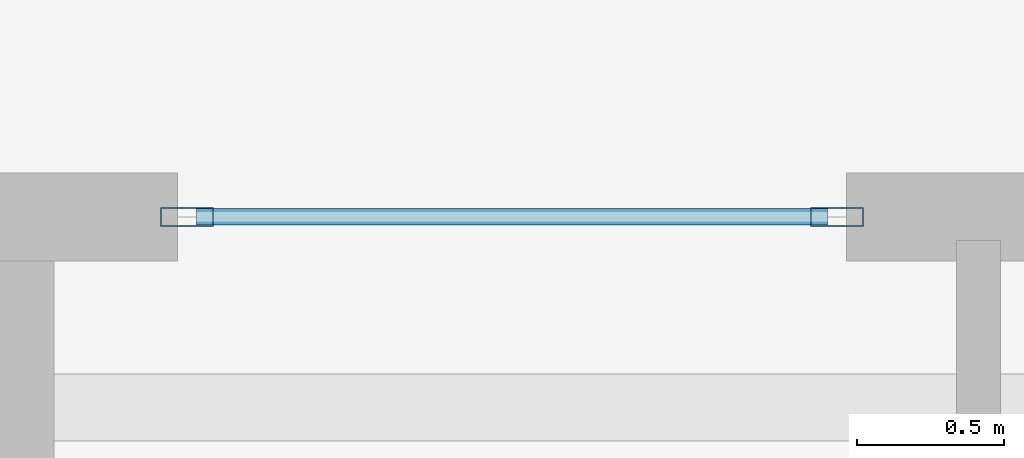
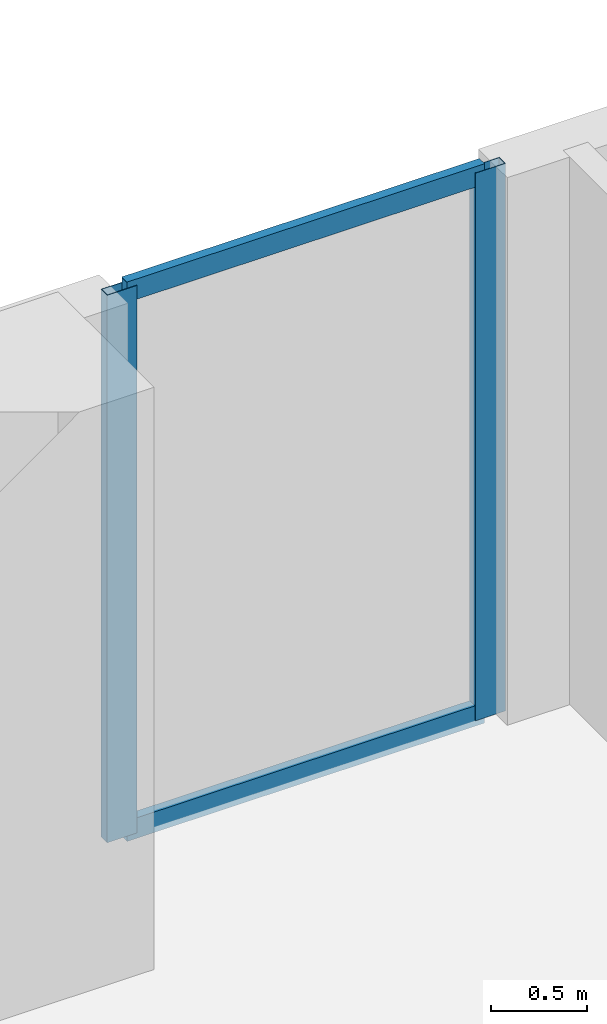
# One storey, part 13 of 25: 4 members, 1 element without a shape of its own.
"""IFC4 building model written with IfcOpenShell, lengths in metres."""

from ifc_helpers import new_model, si_unit, direction, frame, origin, origin_2d, place, context, subcontext, project, spatial, hollow_rectangle, extrude, material, layer, layer_set, material_profile, profile_set, type_object, element, aggregate, save


model = new_model("IFC4")

# Units and contexts
model_context = context("Model", 3, precision=1e-05, world=origin(), true_north=direction((0.0, 1.0)))
body_context = subcontext(model_context, "Body", "Model", "MODEL_VIEW")
ifc_project = project(units=[si_unit("LENGTHUNIT", "METRE"), si_unit("AREAUNIT", "SQUARE_METRE"), si_unit("VOLUMEUNIT", "CUBIC_METRE"), si_unit("PLANEANGLEUNIT", "RADIAN"), si_unit("MASSUNIT", "GRAM", prefix="KILO")], contexts=[model_context])

# Site, building, storey
site_placement = place(None, origin())
site = spatial("IfcSite", under=ifc_project, at=site_placement, CompositionType="ELEMENT")
building_placement = place(site_placement, origin())
building = spatial("IfcBuilding", under=site, at=building_placement, Name="Zuhayl Quay Hotel", CompositionType="ELEMENT")
storey_placement = place(building_placement, frame((0.0, 0.0, 258.14990234375)))
storey = spatial("IfcBuildingStorey", under=building, at=storey_placement, Name="L65", CompositionType="ELEMENT", Elevation=258.14990234375)

# Curtain wall, members
ifc_material_1 = material(Name="Anodised Aluminium 6063-T6", Category="aluminium")
ifc_layer = layer(ifc_material_1, 0.169921875, Name="Anodised Aluminium 6063-T6", Category="aluminium")
ifc_layer_set = layer_set([ifc_layer], Name="Anodised Aluminium 6063-T6")
curtain_wall_type = type_object("IfcCurtainWallType", Name="CW_SYS_Z4", PredefinedType="USERDEFINED", material=ifc_layer_set)
curtain_wall_placement = place(storey_placement, origin())
curtain_wall = element("IfcCurtainWall", 1, at=curtain_wall_placement, inside=storey, type_object=curtain_wall_type, Name="L65 Curtain Wall ENV_L65_N_CW1", ObjectType="UNITISED CURTAIN WALL", PredefinedType="USERDEFINED")
ifc_material_2 = material(Name="Black-anodised aluminium 6063-T6", Category="aluminium")
ifc_material_profile_1 = material_profile(ifc_material_2, hollow_rectangle(XDim=0.06494140625, YDim=0.179931640625, WallThickness=0.00341796875, at=origin_2d()), Name="ALU180X65")
ifc_profile_set_1 = profile_set([ifc_material_profile_1], Name="Black-anodised aluminium 6063-T6")
member_type_1 = type_object("IfcMemberType", Name="MB_CW_MUL_180", PredefinedType="MULLION", material=ifc_profile_set_1)
member_1_placement = place(storey_placement, frame((-12.847412109375, 39.0, 0.0), z_axis=(0.0, 0.0, 1.0), x_axis=(0.0, 1.0, 0.0)))
member_1 = element("IfcMember", 2, at=member_1_placement, type_object=member_type_1, Name="CW-Z4 mullion 1", PredefinedType="MULLION", context=body_context, shape_type="SweptSolid", body=[
    extrude(hollow_rectangle(XDim=0.06494140625, YDim=0.179931640625, WallThickness=0.00341796875, at=origin_2d()), origin(), (0.0, 0.0, 1.0), 3.47998046875),
])
member_2_placement = place(storey_placement, frame((-10.632568359375, 39.0, 0.0), z_axis=(0.0, 0.0, 1.0), x_axis=(0.0, 1.0, 0.0)))
member_2 = element("IfcMember", 3, at=member_2_placement, type_object=member_type_1, Name="CW-Z4 mullion 2", PredefinedType="MULLION", context=body_context, shape_type="SweptSolid", body=[
    extrude(hollow_rectangle(XDim=0.06494140625, YDim=0.179931640625, WallThickness=0.00341796875, at=origin_2d()), origin(), (0.0, 0.0, 1.0), 3.47998046875),
])
ifc_material_profile_2 = material_profile(ifc_material_2, hollow_rectangle(XDim=0.054931640625, YDim=0.1298828125, WallThickness=0.0029296875, at=origin_2d()), Name="ALU130X55")
ifc_profile_set_2 = profile_set([ifc_material_profile_2], Name="Black-anodised aluminium 6063-T6")
member_type_2 = type_object("IfcMemberType", Name="MB_CW_TRN_130", PredefinedType="USERDEFINED", material=ifc_profile_set_2)
member_3_placement = place(storey_placement, frame((-12.81494140625, 39.0, 0.027587890625), z_axis=(1.0, 0.0, 0.0), x_axis=(0.0, 1.0, 0.0)))
member_3 = element("IfcMember", 4, at=member_3_placement, type_object=member_type_2, Name="CW-Z4 transom 1.1", ObjectType="TRANSOM", PredefinedType="USERDEFINED", context=body_context, shape_type="SweptSolid", body=[
    extrude(hollow_rectangle(XDim=0.054931640625, YDim=0.1298828125, WallThickness=0.0029296875, at=origin_2d()), origin(), (0.0, 0.0, 1.0), 2.14990234375),
])
member_4_placement = place(storey_placement, frame((-12.81494140625, 39.0, 3.45263671875), z_axis=(1.0, 0.0, 0.0), x_axis=(0.0, 1.0, 0.0)))
member_4 = element("IfcMember", 5, at=member_4_placement, type_object=member_type_2, Name="CW-Z4 transom 1.2", ObjectType="TRANSOM", PredefinedType="USERDEFINED", context=body_context, shape_type="SweptSolid", body=[
    extrude(hollow_rectangle(XDim=0.054931640625, YDim=0.1298828125, WallThickness=0.0029296875, at=origin_2d()), origin(), (0.0, 0.0, 1.0), 2.14990234375),
])
aggregate(curtain_wall, [member_1, member_2, member_3, member_4])

save(model, "model.ifc")
